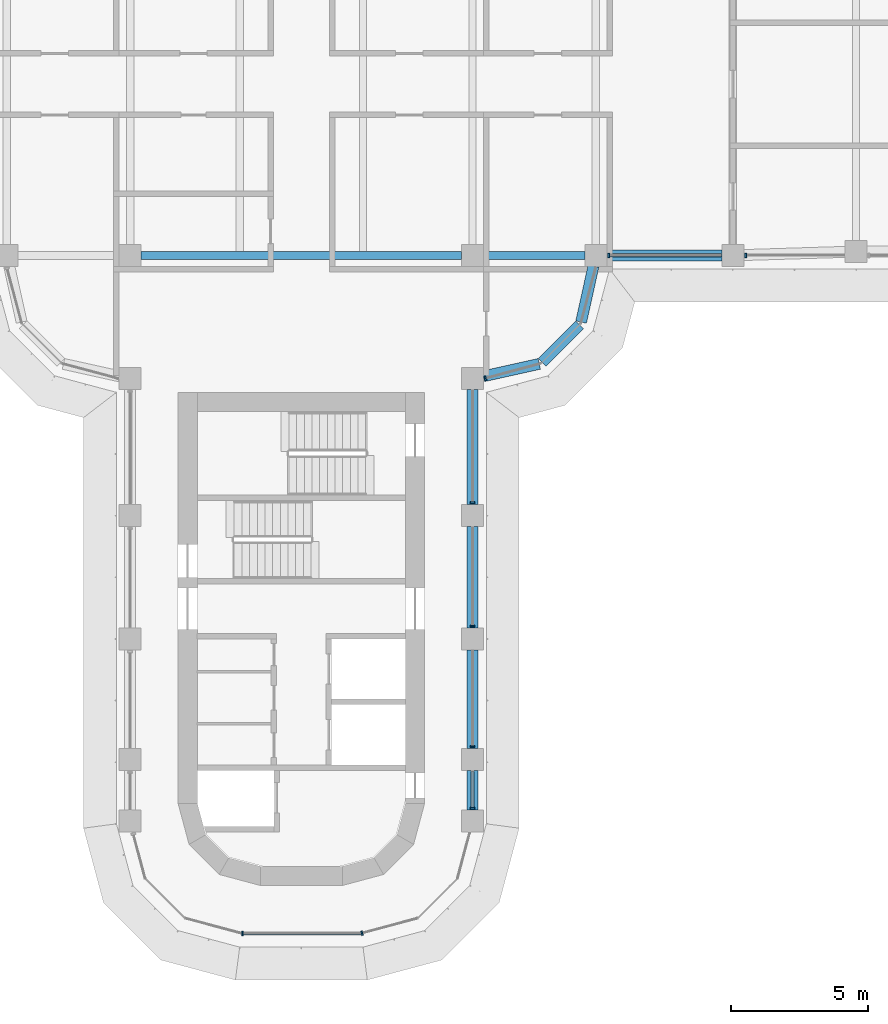
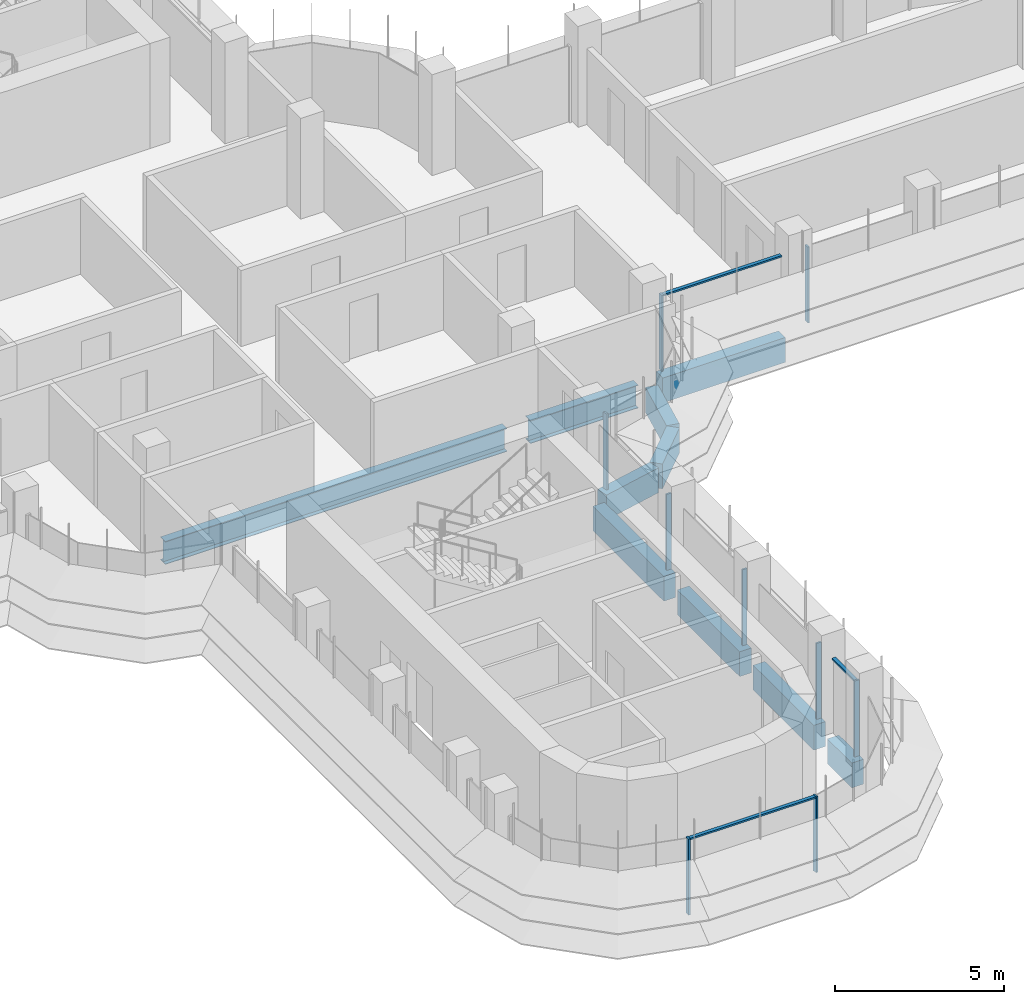
# One storey, part 4 of 19: 12 members, 10 beams, 5 elements without a shape of their own.
"""IFC4 building model written with IfcOpenShell, lengths in metres."""

from ifc_helpers import new_model, si_unit, direction, frame, origin, origin_2d, place, context, subcontext, project, spatial, polyline, rectangle, i_section, outline, extrude, source, transform, mapped, material, material_profile, profile_set, type_object, element, aggregate, save


model = new_model("IFC4")

# Units and contexts
model_context = context("Model", 3, precision=1e-05, world=origin(), true_north=direction((0.0, 1.0)))
body_context = subcontext(model_context, "Body", "Model", "MODEL_VIEW")
ifc_project = project(units=[si_unit("LENGTHUNIT", "METRE"), si_unit("AREAUNIT", "SQUARE_METRE"), si_unit("VOLUMEUNIT", "CUBIC_METRE"), si_unit("PLANEANGLEUNIT", "RADIAN"), si_unit("MASSUNIT", "GRAM", prefix="KILO")], contexts=[model_context])

# Site, building, storey
site_placement = place(None, origin())
site = spatial("IfcSite", under=ifc_project, at=site_placement, CompositionType="ELEMENT")
building_placement = place(site_placement, origin())
building = spatial("IfcBuilding", under=site, at=building_placement, Name="Zarbagh Exchange Tower", CompositionType="ELEMENT")
storey_placement = place(building_placement, frame((0.0, 0.0, 175.199951171875)))
storey = spatial("IfcBuildingStorey", under=building, at=storey_placement, Name="L42", CompositionType="ELEMENT", Elevation=175.199951171875)

# Beams
ifc_material_1 = material(Name="Steel ASTM A992 Gr 50", Category="steel")
ifc_material_profile_1 = material_profile(ifc_material_1, i_section(OverallWidth=0.2919921875, OverallDepth=0.835693359375, WebThickness=0.013916015625, FlangeThickness=0.018798828125, at=origin_2d()), Name="W33X118")
ifc_profile_set_1 = profile_set([ifc_material_profile_1], Name="Steel ASTM A992 Gr 50")
beam_type_1 = type_object("IfcBeamType", Name="Floor girder W33X118", PredefinedType="BEAM", material=ifc_profile_set_1)
beam_1_placement = place(storey_placement, frame((-5.85009765625, -6.25, -0.56787109375), z_axis=(1.0, 0.0, 0.0), x_axis=(0.0, 1.0, 0.0)))
element("IfcBeam", 1, at=beam_1_placement, inside=storey, type_object=beam_type_1, Name="Steel girder", PredefinedType="BEAM", context=body_context, shape_type="SweptSolid", body=[
    extrude(i_section(OverallWidth=0.2919921875, OverallDepth=0.835693359375, WebThickness=0.013916015625, FlangeThickness=0.018798828125, at=origin_2d()), origin(), (0.0, 0.0, 1.0), 11.7001953125),
])
beam_2_placement = place(storey_placement, frame((6.64990234375, -6.25, -0.56787109375), z_axis=(1.0, 0.0, 0.0), x_axis=(0.0, 1.0, 0.0)))
element("IfcBeam", 2, at=beam_2_placement, inside=storey, type_object=beam_type_1, Name="Steel girder", PredefinedType="BEAM", context=body_context, shape_type="SweptSolid", body=[
    extrude(i_section(OverallWidth=0.2919921875, OverallDepth=0.835693359375, WebThickness=0.013916015625, FlangeThickness=0.018798828125, at=origin_2d()), origin(), (0.0, 0.0, 1.0), 3.7001953125),
])
ifc_material_2 = material(Name="Concrete C50/60", Category="concrete")
ifc_material_profile_2 = material_profile(ifc_material_2, rectangle(XDim=0.39990234375, YDim=0.89990234375, at=origin_2d()), Name="RC spandrel beam 400 x 900 C50/60")
ifc_profile_set_2 = profile_set([ifc_material_profile_2], Name="Concrete C50/60")
beam_type_2 = type_object("IfcBeamType", Name="RC spandrel beam 400 x 900 C50/60", PredefinedType="SPANDREL", material=ifc_profile_set_2)
beam_3_placement = place(storey_placement, frame((15.35009765625, -6.25, -0.599853515625), z_axis=(-1.0, 0.0, 0.0), x_axis=(0.0, -1.0, 0.0)))
element("IfcBeam", 3, at=beam_3_placement, inside=storey, type_object=beam_type_2, Name="RC spandrel beam", PredefinedType="SPANDREL", context=body_context, shape_type="SweptSolid", body=[
    extrude(rectangle(XDim=0.39990234375, YDim=0.89990234375, at=origin_2d()), origin(), (0.0, 0.0, 1.0), 4.2001953125),
])
beam_4_placement = place(storey_placement, frame((10.66357421875, -6.640625, -0.599853515625), z_axis=(-0.216041061437, -0.976384278741, 0.0), x_axis=(0.976384278741, -0.216041061437, 0.0)))
element("IfcBeam", 4, at=beam_4_placement, inside=storey, type_object=beam_type_2, Name="RC spandrel beam", PredefinedType="SPANDREL", context=body_context, shape_type="SweptSolid", body=[
    extrude(rectangle(XDim=0.39990234375, YDim=0.89990234375, at=origin_2d()), origin(), (0.0, 0.0, 1.0), 2.0927734375),
])
beam_5_placement = place(storey_placement, frame((10.15771484375, -8.782470703125, -0.599853515625), z_axis=(-0.707106781187, -0.707106781187, 0.0), x_axis=(0.707106781187, -0.707106781187, 0.0)))
element("IfcBeam", 5, at=beam_5_placement, inside=storey, type_object=beam_type_2, Name="RC spandrel beam", PredefinedType="SPANDREL", context=body_context, shape_type="SweptSolid", body=[
    extrude(rectangle(XDim=0.39990234375, YDim=0.89990234375, at=origin_2d()), origin(), (0.0, 0.0, 1.0), 1.94482421875),
])
beam_6_placement = place(storey_placement, frame((8.68408203125, -10.21142578125, -0.599853515625), z_axis=(-0.976384278741, -0.216041061437, 0.0), x_axis=(0.216041061437, -0.976384278741, 0.0)))
element("IfcBeam", 6, at=beam_6_placement, inside=storey, type_object=beam_type_2, Name="RC spandrel beam", PredefinedType="SPANDREL", context=body_context, shape_type="SweptSolid", body=[
    extrude(rectangle(XDim=0.39990234375, YDim=0.89990234375, at=origin_2d()), origin(), (0.0, 0.0, 1.0), 2.0927734375),
])
beam_7_placement = place(storey_placement, frame((6.25, -11.14990234375, -0.599853515625), z_axis=(0.0, -1.0, 0.0), x_axis=(1.0, 0.0, 0.0)))
element("IfcBeam", 7, at=beam_7_placement, inside=storey, type_object=beam_type_2, Name="RC spandrel beam", PredefinedType="SPANDREL", context=body_context, shape_type="SweptSolid", body=[
    extrude(rectangle(XDim=0.39990234375, YDim=0.89990234375, at=origin_2d()), origin(), (0.0, 0.0, 1.0), 4.2001953125),
])
beam_8_placement = place(storey_placement, frame((6.25, -16.14990234375, -0.599853515625), z_axis=(0.0, -1.0, 0.0), x_axis=(1.0, 0.0, 0.0)))
element("IfcBeam", 8, at=beam_8_placement, inside=storey, type_object=beam_type_2, Name="RC spandrel beam", PredefinedType="SPANDREL", context=body_context, shape_type="SweptSolid", body=[
    extrude(rectangle(XDim=0.39990234375, YDim=0.89990234375, at=origin_2d()), origin(), (0.0, 0.0, 1.0), 3.7001953125),
])
beam_9_placement = place(storey_placement, frame((6.25, -20.64990234375, -0.599853515625), z_axis=(0.0, -1.0, 0.0), x_axis=(1.0, 0.0, 0.0)))
element("IfcBeam", 9, at=beam_9_placement, inside=storey, type_object=beam_type_2, Name="RC spandrel beam", PredefinedType="SPANDREL", context=body_context, shape_type="SweptSolid", body=[
    extrude(rectangle(XDim=0.39990234375, YDim=0.89990234375, at=origin_2d()), origin(), (0.0, 0.0, 1.0), 3.60009765625),
])
beam_10_placement = place(storey_placement, frame((6.25, -25.050048828125, -0.599853515625), z_axis=(0.0, -1.0, 0.0), x_axis=(1.0, 0.0, 0.0)))
element("IfcBeam", 10, at=beam_10_placement, inside=storey, type_object=beam_type_2, Name="RC spandrel beam", PredefinedType="SPANDREL", context=body_context, shape_type="SweptSolid", body=[
    extrude(rectangle(XDim=0.39990234375, YDim=0.89990234375, at=origin_2d()), origin(), (0.0, 0.0, 1.0), 1.449951171875),
])

# Curtain wall, member
ifc_material_3 = material(Name="Anodised aluminium frame and glazing", Category="aluminium")
curtain_wall_type = type_object("IfcCurtainWallType", Name="CWB Ribbon glazing, upper zones", PredefinedType="NOTDEFINED", material=ifc_material_3)
curtain_wall_1_placement = place(storey_placement, origin())
curtain_wall_1 = element("IfcCurtainWall", 11, at=curtain_wall_1_placement, inside=storey, type_object=curtain_wall_type, Name="CWB49 curtain wall", PredefinedType="NOTDEFINED")
ifc_material_4 = material(Name="Anodised aluminium frame", Category="aluminium")
member_type_1 = type_object("IfcMemberType", Name="MUB Mullion, anodised aluminium frame", PredefinedType="MULLION", material=ifc_material_4)
shared_shape_1 = source(origin(), body_context, "Body", "SweptSolid", [
    extrude(outline(polyline([(0.0, -0.080078125), (0.06005859375, -0.080078125), (0.06005859375, 0.080078125), (0.0, 0.080078125), (0.0, -0.080078125)])), origin(), (0.0, 0.0, 1.0), 2.75),
])
placement = place(storey_placement, origin())
member_1 = element("IfcMember", 12, at=placement, type_object=member_type_1, Name="CWB49 mullion 1.1", PredefinedType="MULLION", context=body_context, shape_type="MappedRepresentation", body=[
    mapped(shared_shape_1, transform((2.18408203125, -31.0, 0.0), x_axis=(0.965924289636, 0.258824779902, 0.0), y_axis=(-0.258824779902, 0.965924289636, 0.0), z_axis=(0.0, 0.0, 1.0))),
])
aggregate(curtain_wall_1, [member_1])

# Curtain wall, members
curtain_wall_2_placement = place(storey_placement, origin())
curtain_wall_2 = element("IfcCurtainWall", 13, at=curtain_wall_2_placement, inside=storey, type_object=curtain_wall_type, Name="CWB52 curtain wall", PredefinedType="NOTDEFINED")
member_2 = element("IfcMember", 14, at=placement, type_object=member_type_1, Name="CWB52 mullion 1.1", PredefinedType="MULLION", context=body_context, shape_type="MappedRepresentation", body=[
    mapped(shared_shape_1, transform((6.25, -26.4599609375, 0.0), x_axis=(0.0, 1.0, 0.0), y_axis=(-1.0, 0.0, 0.0), z_axis=(0.0, 0.0, 1.0))),
])
member_3 = element("IfcMember", 15, at=placement, type_object=member_type_1, Name="CWB52 mullion 2.1", PredefinedType="MULLION", context=body_context, shape_type="MappedRepresentation", body=[
    mapped(shared_shape_1, transform((6.25, -24.2099609375, 0.0), x_axis=(0.0, 1.0, 0.0), y_axis=(-1.0, 0.0, 0.0), z_axis=(0.0, 0.0, 1.0))),
])
member_4 = element("IfcMember", 16, at=placement, type_object=member_type_1, Name="CWB52 mullion 3.1", PredefinedType="MULLION", context=body_context, shape_type="MappedRepresentation", body=[
    mapped(shared_shape_1, transform((6.25, -19.81005859375, 0.0), x_axis=(0.0, 1.0, 0.0), y_axis=(-1.0, 0.0, 0.0), z_axis=(0.0, 0.0, 1.0))),
])
member_5 = element("IfcMember", 17, at=placement, type_object=member_type_1, Name="CWB52 mullion 4.1", PredefinedType="MULLION", context=body_context, shape_type="MappedRepresentation", body=[
    mapped(shared_shape_1, transform((6.25, -15.31005859375, 0.0), x_axis=(0.0, 1.0, 0.0), y_axis=(-1.0, 0.0, 0.0), z_axis=(0.0, 0.0, 1.0))),
])

# Curtain wall, member
curtain_wall_3_placement = place(storey_placement, origin())
curtain_wall_3 = element("IfcCurtainWall", 18, at=curtain_wall_3_placement, inside=storey, type_object=curtain_wall_type, Name="CWB05 curtain wall", PredefinedType="NOTDEFINED")
member_6 = element("IfcMember", 19, at=placement, type_object=member_type_1, Name="CWB05 mullion 1.1", PredefinedType="MULLION", context=body_context, shape_type="MappedRepresentation", body=[
    mapped(shared_shape_1, transform((6.68994140625, -10.74853515625, 0.0), x_axis=(0.965924289636, 0.258824779902, 0.0), y_axis=(-0.258824779902, 0.965924289636, 0.0), z_axis=(0.0, 0.0, 1.0))),
])
aggregate(curtain_wall_3, [member_6])

# Curtain wall, members
curtain_wall_4_placement = place(storey_placement, origin())
curtain_wall_4 = element("IfcCurtainWall", 20, at=curtain_wall_4_placement, inside=storey, type_object=curtain_wall_type, Name="CWB08 curtain wall", PredefinedType="NOTDEFINED")
member_7 = element("IfcMember", 21, at=placement, type_object=member_type_1, Name="CWB08 mullion 1.1", PredefinedType="MULLION", context=body_context, shape_type="MappedRepresentation", body=[
    mapped(shared_shape_1, transform((11.18994140625, -6.25, 0.0), x_axis=(1.0, 0.0, 0.0), y_axis=(0.0, 1.0, 0.0), z_axis=(0.0, 0.0, 1.0))),
])
member_8 = element("IfcMember", 22, at=placement, type_object=member_type_1, Name="CWB08 mullion 2.1", PredefinedType="MULLION", context=body_context, shape_type="MappedRepresentation", body=[
    mapped(shared_shape_1, transform((16.18994140625, -6.25, 0.0), x_axis=(1.0, 0.0, 0.0), y_axis=(0.0, 1.0, 0.0), z_axis=(0.0, 0.0, 1.0))),
])

curtain_wall_5_placement = place(storey_placement, origin())
curtain_wall_5 = element("IfcCurtainWall", 23, at=curtain_wall_5_placement, inside=storey, type_object=curtain_wall_type, Name="CWB57 curtain wall", PredefinedType="NOTDEFINED")
member_9 = element("IfcMember", 24, at=placement, type_object=member_type_1, Name="CWB57 mullion 1.1", PredefinedType="MULLION", context=body_context, shape_type="MappedRepresentation", body=[
    mapped(shared_shape_1, transform((-2.18408203125, -31.0, 0.0), x_axis=(1.0, 0.0, 0.0), y_axis=(0.0, 1.0, 0.0), z_axis=(0.0, 0.0, 1.0))),
])
member_type_2 = type_object("IfcMemberType", Name="TRB Transom, anodised aluminium frame", PredefinedType="USERDEFINED", material=ifc_material_4)
shared_shape_2 = source(origin(), body_context, "Body", "SweptSolid", [
    extrude(outline(polyline([(-0.06005859375, -0.06005859375), (0.0, -0.06005859375), (0.0, 0.06005859375), (-0.06005859375, 0.06005859375), (-0.06005859375, -0.06005859375)])), origin(), (0.0, 0.0, 1.0), 4.308349609375),
])
member_10 = element("IfcMember", 25, at=placement, type_object=member_type_2, Name="CWB57 transom 1.1", ObjectType="TRANSOM", PredefinedType="USERDEFINED", context=body_context, shape_type="MappedRepresentation", body=[
    mapped(shared_shape_2, transform((-2.124267578125, -31.0, 2.75), x_axis=(0.0, 0.0, 1.0), y_axis=(0.0, -1.0, 0.0), z_axis=(1.0, 0.0, 0.0))),
])
aggregate(curtain_wall_5, [member_9, member_10])

# Member
shared_shape_3 = source(origin(), body_context, "Body", "SweptSolid", [
    extrude(outline(polyline([(-0.06005859375, -0.06005859375), (0.0, -0.06005859375), (0.0, 0.06005859375), (-0.06005859375, 0.06005859375), (-0.06005859375, -0.06005859375)])), origin(), (0.0, 0.0, 1.0), 4.06005859375),
])
member_11 = element("IfcMember", 26, at=placement, type_object=member_type_2, Name="CWB08 transom 1.1", ObjectType="TRANSOM", PredefinedType="USERDEFINED", context=body_context, shape_type="MappedRepresentation", body=[
    mapped(shared_shape_3, transform((11.25, -6.25, 2.75), x_axis=(0.0, 0.0, 1.0), y_axis=(0.0, -1.0, 0.0), z_axis=(1.0, 0.0, 0.0))),
])

aggregate(curtain_wall_4, [member_7, member_11, member_8])

shared_shape_4 = source(origin(), body_context, "Body", "SweptSolid", [
    extrude(outline(polyline([(-0.06005859375, -0.06005859375), (0.0, -0.06005859375), (0.0, 0.06005859375), (-0.06005859375, 0.06005859375), (-0.06005859375, -0.06005859375)])), origin(), (0.0, 0.0, 1.0), 1.31005859375),
])
member_12 = element("IfcMember", 27, at=placement, type_object=member_type_2, Name="CWB52 transom 1.1", ObjectType="TRANSOM", PredefinedType="USERDEFINED", context=body_context, shape_type="MappedRepresentation", body=[
    mapped(shared_shape_4, transform((6.25, -26.39990234375, 2.75), x_axis=(0.0, 0.0, 1.0), y_axis=(1.0, 0.0, 0.0), z_axis=(0.0, 1.0, 0.0))),
])

aggregate(curtain_wall_2, [member_2, member_12, member_3, member_4, member_5])

save(model, "model.ifc")
